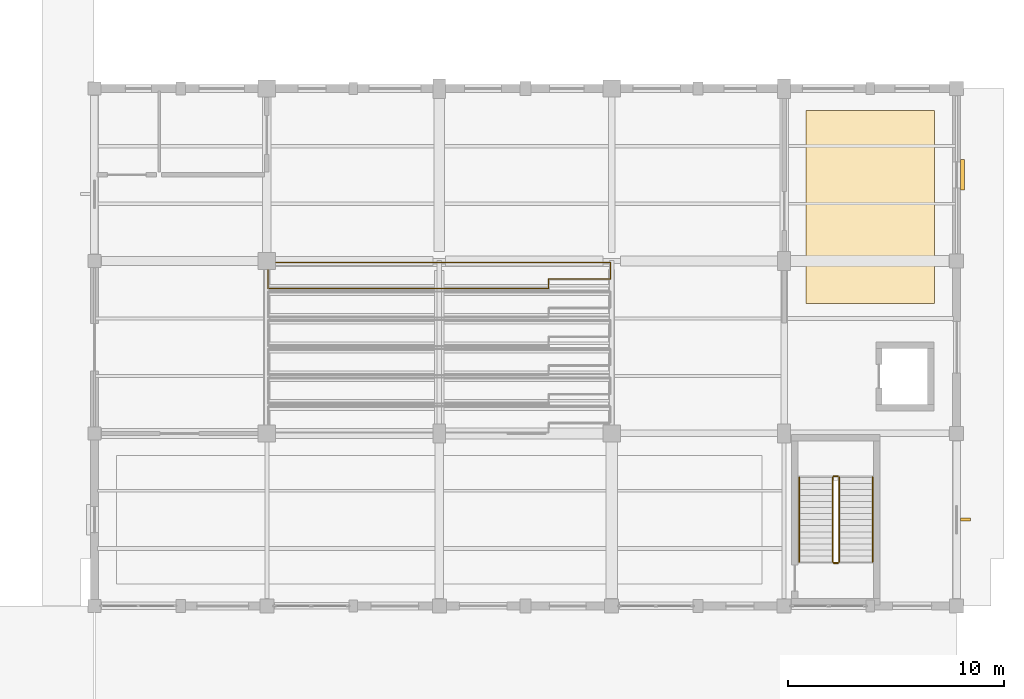
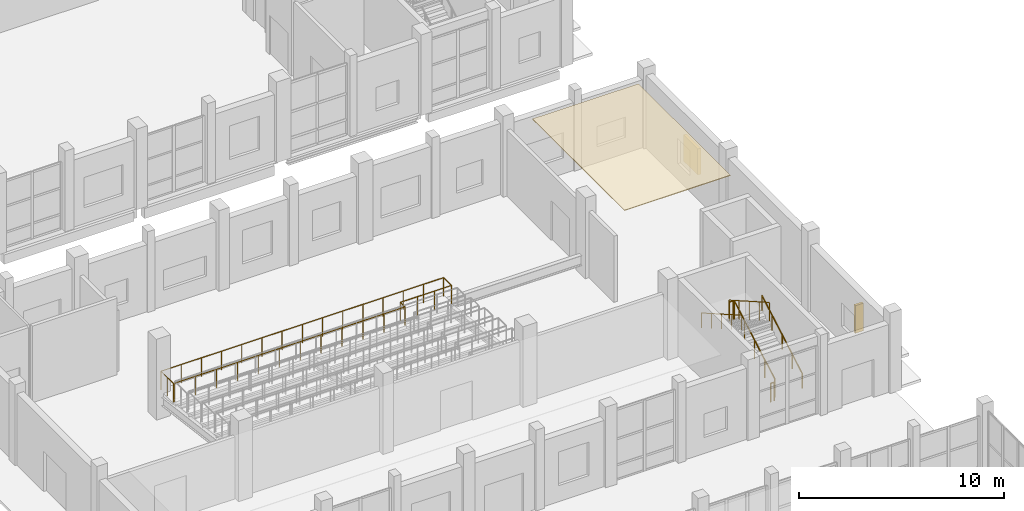
# One storey, part 152 of 156: 7 railings, 2 shading devices, 1 covering.
"""IFC4 building model written with IfcOpenShell, lengths in metres."""

from ifc_helpers import new_model, si_unit, direction, frame, origin, origin_2d, place, context, subcontext, project, spatial, polyline, rectangle, circle, outline, extrude, material, layer, layer_set, type_object, element, save


model = new_model("IFC4")

# Units and contexts
model_context = context("Model", 3, precision=1e-05, world=origin(), true_north=direction((0.0, 1.0)))
body_context = subcontext(model_context, "Body", "Model", "MODEL_VIEW")
ifc_project = project(units=[si_unit("LENGTHUNIT", "METRE"), si_unit("AREAUNIT", "SQUARE_METRE"), si_unit("VOLUMEUNIT", "CUBIC_METRE"), si_unit("PLANEANGLEUNIT", "RADIAN"), si_unit("MASSUNIT", "GRAM", prefix="KILO")], contexts=[model_context])

# Site, building, storey
site_placement = place(None, origin())
site = spatial("IfcSite", under=ifc_project, at=site_placement, CompositionType="ELEMENT")
building_placement = place(site_placement, origin())
building = spatial("IfcBuilding", under=site, at=building_placement, Name="Luwemba Playhouse", CompositionType="ELEMENT")
storey_placement = place(building_placement, origin())
storey = spatial("IfcBuildingStorey", under=building, at=storey_placement, Name="L00", CompositionType="ELEMENT", Elevation=0.0)

# Covering
ifc_material_1 = material(Name="Perforated acoustic gypsum and timber baffle ceiling", Category="wood")
ifc_layer = layer(ifc_material_1, 0.044921875)
ifc_layer_set = layer_set([ifc_layer], Name="Perforated acoustic gypsum and timber baffle ceiling")
covering_type = type_object("IfcCoveringType", Name="COV-CEIL-AC", PredefinedType="CEILING", material=ifc_layer_set)
covering_placement = place(storey_placement, frame((0.0, 0.0, 4.5048828125)))
element("IfcCovering", 1, at=covering_placement, inside=storey, type_object=covering_type, Name="L00 Studio Ticket Desk and Sound Booth acoustic ceiling cloud", PredefinedType="CEILING", context=body_context, shape_type="SweptSolid", body=[
    extrude(outline(polyline([(165.02001953125, 50.02001953125), (170.97998046875, 50.02001953125), (170.97998046875, 58.97998046875), (165.02001953125, 58.97998046875), (165.02001953125, 50.02001953125)])), origin(), (0.0, 0.0, 1.0), 0.045166015625),
])

# Railings
ifc_material_2 = material(Name="Painted wrought-iron gallery balustrade", Category="steel")
railing_type_1 = type_object("IfcRailingType", Name="RLG-BAL-INT", PredefinedType="BALUSTRADE", material=ifc_material_2)
railing_1_placement = place(storey_placement, frame((166.550048828125, 38.0400390625, 0.159912109375)))
element("IfcRailing", 2, at=railing_1_placement, inside=storey, type_object=railing_type_1, Name="L00 ST-06 stair guard 1", PredefinedType="BALUSTRADE", context=body_context, shape_type="SweptSolid", body=[
    extrude(circle(Radius=0.02392578125, at=origin_2d()), frame((0.0, 0.0, 1.09619140625), z_axis=(0.0, 0.868239814368, 0.496144761885), x_axis=(-1.0, 0.0, 0.0)), (0.0, 0.0, 1.0), 4.514892578125),
    extrude(circle(Radius=0.02099609375, at=origin_2d()), origin(), (0.0, 0.0, 1.0), 1.072021484375),
    extrude(circle(Radius=0.02099609375, at=origin_2d()), frame((0.0, 0.97998046875, 0.56005859375)), (0.0, 0.0, 1.0), 1.072021484375),
    extrude(circle(Radius=0.02099609375, at=origin_2d()), frame((0.0, 1.9599609375, 1.1201171875)), (0.0, 0.0, 1.0), 1.072021484375),
    extrude(circle(Radius=0.02099609375, at=origin_2d()), frame((0.0, 2.93994140625, 1.679931640625)), (0.0, 0.0, 1.0), 1.072021484375),
    extrude(circle(Radius=0.02099609375, at=origin_2d()), frame((0.0, 3.919921875, 2.239990234375)), (0.0, 0.0, 1.0), 1.072021484375),
])
railing_2_placement = place(storey_placement, frame((166.5, 42.010009765625, 2.39990234375)))
element("IfcRailing", 3, at=railing_2_placement, inside=storey, type_object=railing_type_1, Name="L00 ST-06 stair guard 2", PredefinedType="BALUSTRADE", context=body_context, shape_type="SweptSolid", body=[
    extrude(circle(Radius=0.02392578125, at=origin_2d()), frame((0.0, 0.0, 1.09619140625), z_axis=(-1.0, 0.0, 0.0), x_axis=(0.0, -1.0, 0.0)), (0.0, 0.0, 1.0), 0.199951171875),
    extrude(circle(Radius=0.02099609375, at=origin_2d()), origin(), (0.0, 0.0, 1.0), 1.072021484375),
    extrude(circle(Radius=0.02099609375, at=origin_2d()), frame((-0.199951171875, 0.0, 0.0)), (0.0, 0.0, 1.0), 1.072021484375),
])
railing_3_placement = place(storey_placement, frame((166.25, 41.9599609375, 2.56005859375)))
element("IfcRailing", 4, at=railing_3_placement, inside=storey, type_object=railing_type_1, Name="L00 ST-06 stair guard 3", PredefinedType="BALUSTRADE", context=body_context, shape_type="SweptSolid", body=[
    extrude(circle(Radius=0.02392578125, at=origin_2d()), frame((0.0, 0.0, 1.09619140625), z_axis=(0.0, -0.868239814368, 0.496144761885), x_axis=(1.0, 0.0, 0.0)), (0.0, 0.0, 1.0), 4.514892578125),
    extrude(circle(Radius=0.02099609375, at=origin_2d()), origin(), (0.0, 0.0, 1.0), 1.072021484375),
    extrude(circle(Radius=0.02099609375, at=origin_2d()), frame((0.0, -0.97998046875, 0.56005859375)), (0.0, 0.0, 1.0), 1.072021484375),
    extrude(circle(Radius=0.02099609375, at=origin_2d()), frame((0.0, -1.9599609375, 1.1201171875)), (0.0, 0.0, 1.0), 1.072021484375),
    extrude(circle(Radius=0.02099609375, at=origin_2d()), frame((0.0, -2.93994140625, 1.679931640625)), (0.0, 0.0, 1.0), 1.072021484375),
    extrude(circle(Radius=0.02099609375, at=origin_2d()), frame((0.0, -3.919921875, 2.239990234375)), (0.0, 0.0, 1.0), 1.072021484375),
])
railing_4_placement = place(storey_placement, frame((166.5, 37.989990234375, 0.0)))
element("IfcRailing", 5, at=railing_4_placement, inside=storey, type_object=railing_type_1, Name="L00 ST-06 stair guard 4", PredefinedType="BALUSTRADE", context=body_context, shape_type="SweptSolid", body=[
    extrude(circle(Radius=0.02392578125, at=origin_2d()), frame((0.0, 0.0, 1.09619140625), z_axis=(-1.0, 0.0, 0.0), x_axis=(0.0, -1.0, 0.0)), (0.0, 0.0, 1.0), 0.199951171875),
    extrude(circle(Radius=0.02099609375, at=origin_2d()), origin(), (0.0, 0.0, 1.0), 1.072021484375),
    extrude(circle(Radius=0.02099609375, at=origin_2d()), frame((-0.199951171875, 0.0, 0.0)), (0.0, 0.0, 1.0), 1.072021484375),
])
railing_5_placement = place(storey_placement, frame((140.050048828125, 50.716796875, 1.458251953125)))
element("IfcRailing", 6, at=railing_5_placement, inside=storey, type_object=railing_type_1, Name="Stand Studio Bay 6 perimeter balustrade", PredefinedType="BALUSTRADE", context=body_context, shape_type="SweptSolid", body=[
    extrude(circle(Radius=0.02392578125, at=origin_2d()), frame((0.0, 0.0, 1.09619140625), z_axis=(0.0, 1.0, 0.0), x_axis=(-1.0, 0.0, 0.0)), (0.0, 0.0, 1.0), 1.213134765625),
    extrude(circle(Radius=0.02392578125, at=origin_2d()), frame((0.0, 1.213134765625, 1.09619140625), z_axis=(1.0, 0.0, 0.0), x_axis=(0.0, 1.0, 0.0)), (0.0, 0.0, 1.0), 15.89990234375),
    extrude(circle(Radius=0.02392578125, at=origin_2d()), frame((15.89990234375, 1.213134765625, 1.09619140625), z_axis=(0.0, -1.0, 0.0), x_axis=(1.0, 0.0, 0.0)), (0.0, 0.0, 1.0), 0.76318359375),
    extrude(circle(Radius=0.02392578125, at=origin_2d()), frame((15.89990234375, 0.449951171875, 1.09619140625), z_axis=(-1.0, 0.0, 0.0), x_axis=(0.0, -1.0, 0.0)), (0.0, 0.0, 1.0), 2.8798828125),
    extrude(circle(Radius=0.02392578125, at=origin_2d()), frame((13.02001953125, 0.449951171875, 1.09619140625), z_axis=(0.0, -1.0, 0.0), x_axis=(1.0, 0.0, 0.0)), (0.0, 0.0, 1.0), 0.449951171875),
    extrude(circle(Radius=0.02392578125, at=origin_2d()), frame((13.02001953125, 0.0, 1.09619140625), z_axis=(-1.0, 0.0, 0.0), x_axis=(0.0, -1.0, 0.0)), (0.0, 0.0, 1.0), 12.9599609375),
    extrude(circle(Radius=0.02099609375, at=origin_2d()), origin(), (0.0, 0.0, 1.0), 1.072021484375),
    extrude(circle(Radius=0.02099609375, at=origin_2d()), frame((0.0, 0.6064453125, 0.0)), (0.0, 0.0, 1.0), 1.072021484375),
    extrude(circle(Radius=0.02099609375, at=origin_2d()), frame((0.0, 1.213134765625, 0.0)), (0.0, 0.0, 1.0), 1.072021484375),
    extrude(circle(Radius=0.02099609375, at=origin_2d()), frame((1.1357421875, 1.213134765625, 0.0)), (0.0, 0.0, 1.0), 1.072021484375),
    extrude(circle(Radius=0.02099609375, at=origin_2d()), frame((2.271484375, 1.213134765625, 0.0)), (0.0, 0.0, 1.0), 1.072021484375),
    extrude(circle(Radius=0.02099609375, at=origin_2d()), frame((3.4072265625, 1.213134765625, 0.0)), (0.0, 0.0, 1.0), 1.072021484375),
    extrude(circle(Radius=0.02099609375, at=origin_2d()), frame((4.542724609375, 1.213134765625, 0.0)), (0.0, 0.0, 1.0), 1.072021484375),
    extrude(circle(Radius=0.02099609375, at=origin_2d()), frame((5.678466796875, 1.213134765625, 0.0)), (0.0, 0.0, 1.0), 1.072021484375),
    extrude(circle(Radius=0.02099609375, at=origin_2d()), frame((6.814208984375, 1.213134765625, 0.0)), (0.0, 0.0, 1.0), 1.072021484375),
    extrude(circle(Radius=0.02099609375, at=origin_2d()), frame((7.949951171875, 1.213134765625, 0.0)), (0.0, 0.0, 1.0), 1.072021484375),
    extrude(circle(Radius=0.02099609375, at=origin_2d()), frame((9.085693359375, 1.213134765625, 0.0)), (0.0, 0.0, 1.0), 1.072021484375),
    extrude(circle(Radius=0.02099609375, at=origin_2d()), frame((10.221435546875, 1.213134765625, 0.0)), (0.0, 0.0, 1.0), 1.072021484375),
    extrude(circle(Radius=0.02099609375, at=origin_2d()), frame((11.357177734375, 1.213134765625, 0.0)), (0.0, 0.0, 1.0), 1.072021484375),
    extrude(circle(Radius=0.02099609375, at=origin_2d()), frame((12.49267578125, 1.213134765625, 0.0)), (0.0, 0.0, 1.0), 1.072021484375),
    extrude(circle(Radius=0.02099609375, at=origin_2d()), frame((13.62841796875, 1.213134765625, 0.0)), (0.0, 0.0, 1.0), 1.072021484375),
    extrude(circle(Radius=0.02099609375, at=origin_2d()), frame((14.76416015625, 1.213134765625, 0.0)), (0.0, 0.0, 1.0), 1.072021484375),
    extrude(circle(Radius=0.02099609375, at=origin_2d()), frame((15.89990234375, 1.213134765625, 0.0)), (0.0, 0.0, 1.0), 1.072021484375),
    extrude(circle(Radius=0.02099609375, at=origin_2d()), frame((15.89990234375, 0.449951171875, 0.0)), (0.0, 0.0, 1.0), 1.072021484375),
    extrude(circle(Radius=0.02099609375, at=origin_2d()), frame((14.93994140625, 0.449951171875, 0.0)), (0.0, 0.0, 1.0), 1.072021484375),
    extrude(circle(Radius=0.02099609375, at=origin_2d()), frame((13.97998046875, 0.449951171875, 0.0)), (0.0, 0.0, 1.0), 1.072021484375),
    extrude(circle(Radius=0.02099609375, at=origin_2d()), frame((13.02001953125, 0.449951171875, 0.0)), (0.0, 0.0, 1.0), 1.072021484375),
    extrude(circle(Radius=0.02099609375, at=origin_2d()), frame((13.02001953125, 0.0, 0.0)), (0.0, 0.0, 1.0), 1.072021484375),
    extrude(circle(Radius=0.02099609375, at=origin_2d()), frame((11.841796875, 0.0, 0.0)), (0.0, 0.0, 1.0), 1.072021484375),
    extrude(circle(Radius=0.02099609375, at=origin_2d()), frame((10.66357421875, 0.0, 0.0)), (0.0, 0.0, 1.0), 1.072021484375),
    extrude(circle(Radius=0.02099609375, at=origin_2d()), frame((9.485595703125, 0.0, 0.0)), (0.0, 0.0, 1.0), 1.072021484375),
    extrude(circle(Radius=0.02099609375, at=origin_2d()), frame((8.307373046875, 0.0, 0.0)), (0.0, 0.0, 1.0), 1.072021484375),
    extrude(circle(Radius=0.02099609375, at=origin_2d()), frame((7.129150390625, 0.0, 0.0)), (0.0, 0.0, 1.0), 1.072021484375),
    extrude(circle(Radius=0.02099609375, at=origin_2d()), frame((5.950927734375, 0.0, 0.0)), (0.0, 0.0, 1.0), 1.072021484375),
    extrude(circle(Radius=0.02099609375, at=origin_2d()), frame((4.772705078125, 0.0, 0.0)), (0.0, 0.0, 1.0), 1.072021484375),
    extrude(circle(Radius=0.02099609375, at=origin_2d()), frame((3.594482421875, 0.0, 0.0)), (0.0, 0.0, 1.0), 1.072021484375),
    extrude(circle(Radius=0.02099609375, at=origin_2d()), frame((2.41650390625, 0.0, 0.0)), (0.0, 0.0, 1.0), 1.072021484375),
    extrude(circle(Radius=0.02099609375, at=origin_2d()), frame((1.23828125, 0.0, 0.0)), (0.0, 0.0, 1.0), 1.072021484375),
    extrude(circle(Radius=0.02099609375, at=origin_2d()), frame((0.06005859375, 0.0, 0.0)), (0.0, 0.0, 1.0), 1.072021484375),
])
ifc_material_3 = material(Name="Hardwood and bronze handrail", Category="wood")
railing_type_2 = type_object("IfcRailingType", Name="RLG-HR-INT", PredefinedType="HANDRAIL", material=ifc_material_3)
railing_6_placement = place(storey_placement, frame((168.10009765625, 38.0400390625, 0.159912109375)))
element("IfcRailing", 7, at=railing_6_placement, inside=storey, type_object=railing_type_2, Name="L00 ST-06 stair handrail 1", PredefinedType="HANDRAIL", context=body_context, shape_type="SweptSolid", body=[
    extrude(circle(Radius=0.02392578125, at=origin_2d()), frame((0.0, 0.0, 0.8759765625), z_axis=(0.0, 0.868239814368, 0.496144761885), x_axis=(-1.0, 0.0, 0.0)), (0.0, 0.0, 1.0), 4.514892578125),
    extrude(circle(Radius=0.02099609375, at=origin_2d()), origin(), (0.0, 0.0, 1.0), 0.851806640625),
    extrude(circle(Radius=0.02099609375, at=origin_2d()), frame((0.0, 0.97998046875, 0.56005859375)), (0.0, 0.0, 1.0), 0.851806640625),
    extrude(circle(Radius=0.02099609375, at=origin_2d()), frame((0.0, 1.9599609375, 1.1201171875)), (0.0, 0.0, 1.0), 0.851806640625),
    extrude(circle(Radius=0.02099609375, at=origin_2d()), frame((0.0, 2.93994140625, 1.679931640625)), (0.0, 0.0, 1.0), 0.851806640625),
    extrude(circle(Radius=0.02099609375, at=origin_2d()), frame((0.0, 3.919921875, 2.239990234375)), (0.0, 0.0, 1.0), 0.851806640625),
])
railing_7_placement = place(storey_placement, frame((164.699951171875, 41.9599609375, 2.56005859375)))
element("IfcRailing", 8, at=railing_7_placement, inside=storey, type_object=railing_type_2, Name="L00 ST-06 stair handrail 2", PredefinedType="HANDRAIL", context=body_context, shape_type="SweptSolid", body=[
    extrude(circle(Radius=0.02392578125, at=origin_2d()), frame((0.0, 0.0, 0.8759765625), z_axis=(0.0, -0.868239814368, 0.496144761885), x_axis=(1.0, 0.0, 0.0)), (0.0, 0.0, 1.0), 4.514892578125),
    extrude(circle(Radius=0.02099609375, at=origin_2d()), origin(), (0.0, 0.0, 1.0), 0.851806640625),
    extrude(circle(Radius=0.02099609375, at=origin_2d()), frame((0.0, -0.97998046875, 0.56005859375)), (0.0, 0.0, 1.0), 0.851806640625),
    extrude(circle(Radius=0.02099609375, at=origin_2d()), frame((0.0, -1.9599609375, 1.1201171875)), (0.0, 0.0, 1.0), 0.851806640625),
    extrude(circle(Radius=0.02099609375, at=origin_2d()), frame((0.0, -2.93994140625, 1.679931640625)), (0.0, 0.0, 1.0), 0.851806640625),
    extrude(circle(Radius=0.02099609375, at=origin_2d()), frame((0.0, -3.919921875, 2.239990234375)), (0.0, 0.0, 1.0), 0.851806640625),
])

# Shading devices
ifc_material_4 = material(Name="Extruded terracotta brise-soleil fin on steel bracket", Category="masonry")
shading_device_type_1 = type_object("IfcShadingDeviceType", Name="SHD-BRISE", PredefinedType="USERDEFINED", material=ifc_material_4)
shading_device_1_placement = place(storey_placement, frame((172.409912109375, 40.0, 0.824951171875), z_axis=(0.0, 0.0, 1.0), x_axis=(0.0, -1.0, 0.0)))
element("IfcShadingDevice", 9, at=shading_device_1_placement, inside=storey, type_object=shading_device_type_1, Name="L00 terracotta brise-soleil fin 007", ObjectType="TERRACOTTA BRISE SOLEIL", PredefinedType="USERDEFINED", context=body_context, shape_type="SweptSolid", body=[
    extrude(rectangle(XDim=0.139892578125, YDim=0.449951171875, at=origin_2d()), origin(), (0.0, 0.0, 1.0), 1.64990234375),
])
ifc_material_5 = material(Name="Kiln-fired terracotta gelosia louvre screen", Category="masonry")
shading_device_type_2 = type_object("IfcShadingDeviceType", Name="SHD-GELOSIA", PredefinedType="JALOUSIE", material=ifc_material_5)
shading_device_2_placement = place(storey_placement, frame((172.27490234375, 56.0, 0.9248046875), z_axis=(0.0, 0.0, 1.0), x_axis=(0.0, -1.0, 0.0)))
element("IfcShadingDevice", 10, at=shading_device_2_placement, inside=storey, type_object=shading_device_type_2, Name="L00 fired-clay gelosia screen 006", PredefinedType="JALOUSIE", context=body_context, shape_type="SweptSolid", body=[
    extrude(rectangle(XDim=1.39990234375, YDim=0.179931640625, at=origin_2d()), origin(), (0.0, 0.0, 1.0), 1.550048828125),
])

save(model, "model.ifc")
